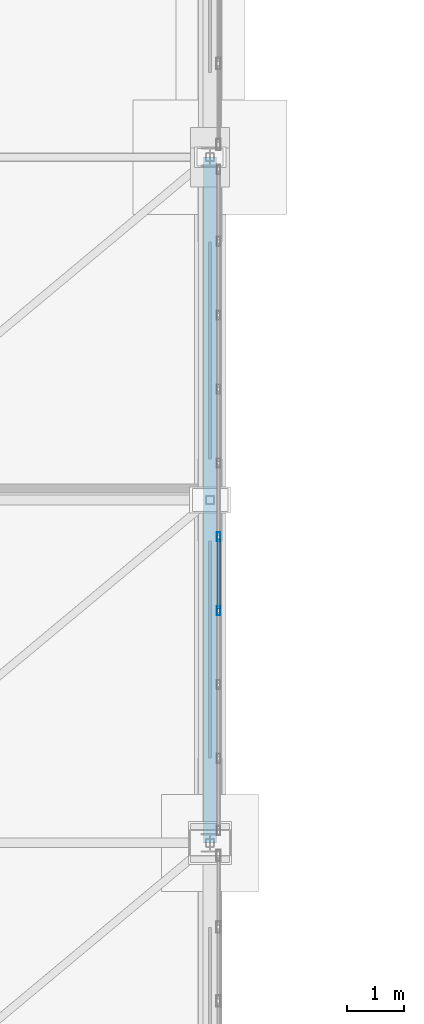
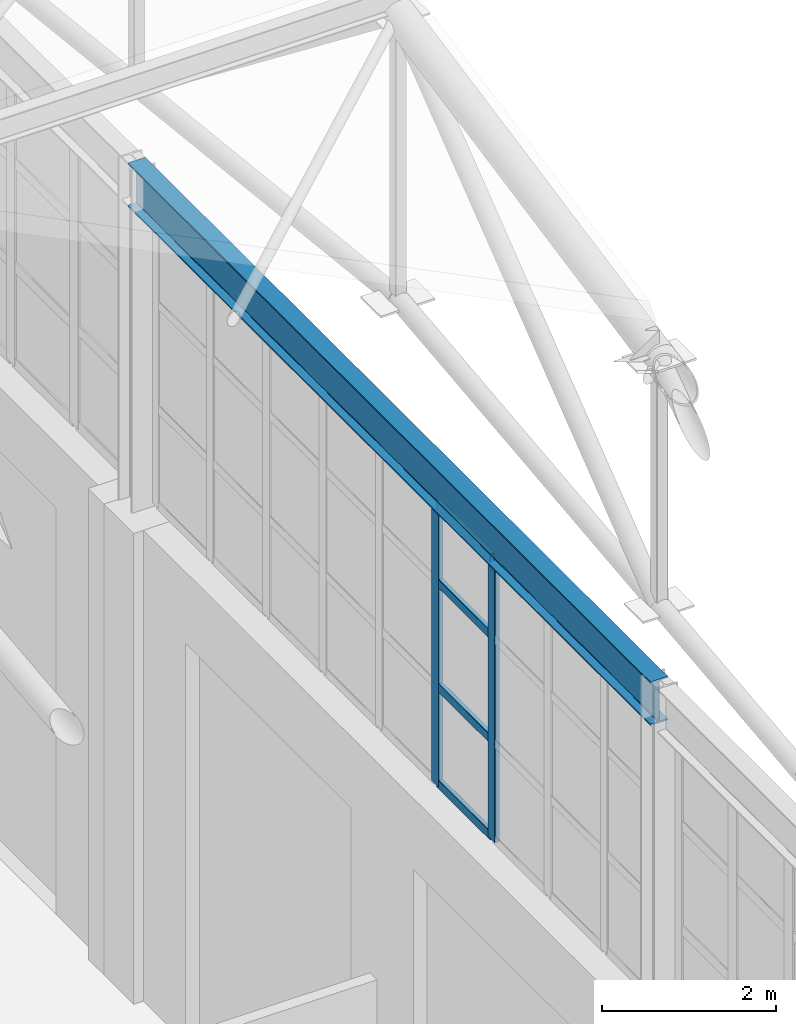
# One storey, part 191 of 293: 6 members, 1 beam, 1 element without a shape of its own.
"""IFC4 building model written with IfcOpenShell, lengths in metres."""

from ifc_helpers import new_model, si_unit, direction, frame, origin, origin_2d, place, context, subcontext, project, spatial, hollow_rectangle, i_section, extrude, material, layer, layer_set, material_profile, profile_set, type_object, element, aggregate, save


model = new_model("IFC4")

# Units and contexts
model_context = context("Model", 3, precision=1e-05, world=origin(), true_north=direction((0.0, 1.0)))
body_context = subcontext(model_context, "Body", "Model", "MODEL_VIEW")
ifc_project = project(units=[si_unit("LENGTHUNIT", "METRE"), si_unit("AREAUNIT", "SQUARE_METRE"), si_unit("VOLUMEUNIT", "CUBIC_METRE"), si_unit("PLANEANGLEUNIT", "RADIAN"), si_unit("MASSUNIT", "GRAM", prefix="KILO")], contexts=[model_context])

# Site, building, storey
site_placement = place(None, origin())
site = spatial("IfcSite", under=ifc_project, at=site_placement, CompositionType="ELEMENT")
building_placement = place(site_placement, origin())
building = spatial("IfcBuilding", under=site, at=building_placement, Name="Kemerveld Promenade Tramway Depot", CompositionType="ELEMENT")
storey_placement = place(building_placement, origin())
storey = spatial("IfcBuildingStorey", under=building, at=storey_placement, Name="L00", CompositionType="ELEMENT", Elevation=0.0)

# Beam
ifc_material_1 = material(Name="Steel S355", Category="steel")
ifc_material_profile_1 = material_profile(ifc_material_1, i_section(OverallWidth=0.22900390625, OverallDepth=0.6123046875, WebThickness=0.011962890625, FlangeThickness=0.01953125, FilletRadius=0.0126953125, at=origin_2d()), Name="610x229x125 UB")
ifc_profile_set_1 = profile_set([ifc_material_profile_1], Name="Steel S355")
beam_type = type_object("IfcBeamType", Name="BM-G04", PredefinedType="BEAM", material=ifc_profile_set_1)
beam_placement = place(storey_placement, frame((187.199951171875, 108.0, 11.093994140625), z_axis=(0.0, 1.0, 0.0), x_axis=(-1.0, 0.0, 0.0)))
element("IfcBeam", 1, at=beam_placement, inside=storey, type_object=beam_type, Name="BM-GABLE-27-Q", PredefinedType="BEAM", context=body_context, shape_type="SweptSolid", body=[
    extrude(i_section(OverallWidth=0.22900390625, OverallDepth=0.6123046875, WebThickness=0.011962890625, FlangeThickness=0.01953125, FilletRadius=0.0126953125, at=origin_2d()), origin(), (0.0, 0.0, 1.0), 12.0),
])

# Curtain wall, members
ifc_material_2 = material(Name="Bronze anodised aluminium and solar glass", Category="aluminium")
ifc_layer = layer(ifc_material_2, 0.159912109375)
ifc_layer_set = layer_set([ifc_layer], Name="CW-SYS-13")
curtain_wall_type = type_object("IfcCurtainWallType", Name="CW-SYS-13", PredefinedType="USERDEFINED", material=ifc_layer_set)
curtain_wall_placement = place(storey_placement, origin())
curtain_wall = element("IfcCurtainWall", 2, at=curtain_wall_placement, inside=storey, type_object=curtain_wall_type, Name="CW-V1-E-03", ObjectType="GLAZED_CURTAIN_WALL", PredefinedType="USERDEFINED")
ifc_material_3 = material(Name="Bronze anodised aluminium", Category="aluminium")
ifc_material_profile_2 = material_profile(ifc_material_3, hollow_rectangle(XDim=0.06494140625, YDim=0.159912109375, WallThickness=0.00390625, InnerFilletRadius=0.001953125, OuterFilletRadius=0.00390625, at=origin_2d()), Name="CW-MUL-160x65")
ifc_profile_set_2 = profile_set([ifc_material_profile_2], Name="Bronze anodised aluminium")
member_type_1 = type_object("IfcMemberType", Name="CW-MUL-A", PredefinedType="MULLION", material=ifc_profile_set_2)
member_1_placement = place(storey_placement, frame((187.35009765625, 113.353759765625, 6.64990234375), z_axis=(0.0, 0.0, 1.0), x_axis=(1.0, 0.0, 0.0)))
member_1 = element("IfcMember", 3, at=member_1_placement, type_object=member_type_1, Name="CW13 mullion 6", PredefinedType="MULLION", context=body_context, shape_type="SweptSolid", body=[
    extrude(hollow_rectangle(XDim=0.06494140625, YDim=0.159912109375, WallThickness=0.00390625, InnerFilletRadius=0.001953125, OuterFilletRadius=0.00390625, at=origin_2d()), origin(), (0.0, 0.0, 1.0), 3.9501953125),
])
member_2_placement = place(storey_placement, frame((187.35009765625, 112.061279296875, 6.64990234375), z_axis=(0.0, 0.0, 1.0), x_axis=(1.0, 0.0, 0.0)))
member_2 = element("IfcMember", 4, at=member_2_placement, type_object=member_type_1, Name="CW13 mullion 7", PredefinedType="MULLION", context=body_context, shape_type="SweptSolid", body=[
    extrude(hollow_rectangle(XDim=0.06494140625, YDim=0.159912109375, WallThickness=0.00390625, InnerFilletRadius=0.001953125, OuterFilletRadius=0.00390625, at=origin_2d()), origin(), (0.0, 0.0, 1.0), 3.9501953125),
])
ifc_material_profile_3 = material_profile(ifc_material_3, hollow_rectangle(XDim=0.06005859375, YDim=0.1201171875, WallThickness=0.00390625, InnerFilletRadius=0.001953125, OuterFilletRadius=0.00390625, at=origin_2d()), Name="CW-TRN-120x60")
ifc_profile_set_3 = profile_set([ifc_material_profile_3], Name="Bronze anodised aluminium")
member_type_2 = type_object("IfcMemberType", Name="CW-TRN-A", PredefinedType="USERDEFINED", material=ifc_profile_set_3)
member_3_placement = place(storey_placement, frame((187.35009765625, 113.3212890625, 6.679931640625), z_axis=(0.0, -1.0, 0.0), x_axis=(1.0, 0.0, 0.0)))
member_3 = element("IfcMember", 5, at=member_3_placement, type_object=member_type_2, Name="CW13 transom 6.1", ObjectType="TRANSOM", PredefinedType="USERDEFINED", context=body_context, shape_type="SweptSolid", body=[
    extrude(hollow_rectangle(XDim=0.06005859375, YDim=0.1201171875, WallThickness=0.00390625, InnerFilletRadius=0.001953125, OuterFilletRadius=0.00390625, at=origin_2d()), origin(), (0.0, 0.0, 1.0), 1.2275390625),
])
member_4_placement = place(storey_placement, frame((187.35009765625, 113.3212890625, 8.032958984375), z_axis=(0.0, -1.0, 0.0), x_axis=(1.0, 0.0, 0.0)))
member_4 = element("IfcMember", 6, at=member_4_placement, type_object=member_type_2, Name="CW13 transom 6.2", ObjectType="TRANSOM", PredefinedType="USERDEFINED", context=body_context, shape_type="SweptSolid", body=[
    extrude(hollow_rectangle(XDim=0.06005859375, YDim=0.1201171875, WallThickness=0.00390625, InnerFilletRadius=0.001953125, OuterFilletRadius=0.00390625, at=origin_2d()), origin(), (0.0, 0.0, 1.0), 1.2275390625),
])
member_5_placement = place(storey_placement, frame((187.35009765625, 113.3212890625, 9.493896484375), z_axis=(0.0, -1.0, 0.0), x_axis=(1.0, 0.0, 0.0)))
member_5 = element("IfcMember", 7, at=member_5_placement, type_object=member_type_2, Name="CW13 transom 6.3", ObjectType="TRANSOM", PredefinedType="USERDEFINED", context=body_context, shape_type="SweptSolid", body=[
    extrude(hollow_rectangle(XDim=0.06005859375, YDim=0.1201171875, WallThickness=0.00390625, InnerFilletRadius=0.001953125, OuterFilletRadius=0.00390625, at=origin_2d()), origin(), (0.0, 0.0, 1.0), 1.2275390625),
])
member_6_placement = place(storey_placement, frame((187.35009765625, 113.3212890625, 10.570068359375), z_axis=(0.0, -1.0, 0.0), x_axis=(1.0, 0.0, 0.0)))
member_6 = element("IfcMember", 8, at=member_6_placement, type_object=member_type_2, Name="CW13 transom 6.4", ObjectType="TRANSOM", PredefinedType="USERDEFINED", context=body_context, shape_type="SweptSolid", body=[
    extrude(hollow_rectangle(XDim=0.06005859375, YDim=0.1201171875, WallThickness=0.00390625, InnerFilletRadius=0.001953125, OuterFilletRadius=0.00390625, at=origin_2d()), origin(), (0.0, 0.0, 1.0), 1.2275390625),
])
aggregate(curtain_wall, [member_1, member_2, member_3, member_4, member_5, member_6])

save(model, "model.ifc")
